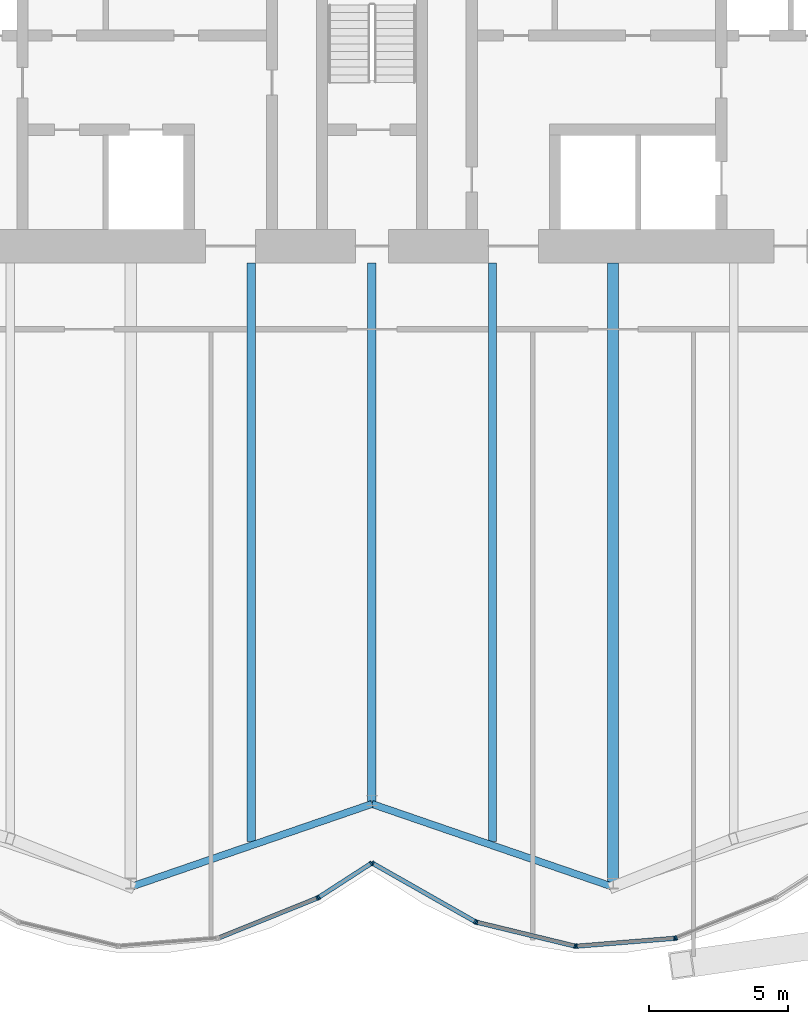
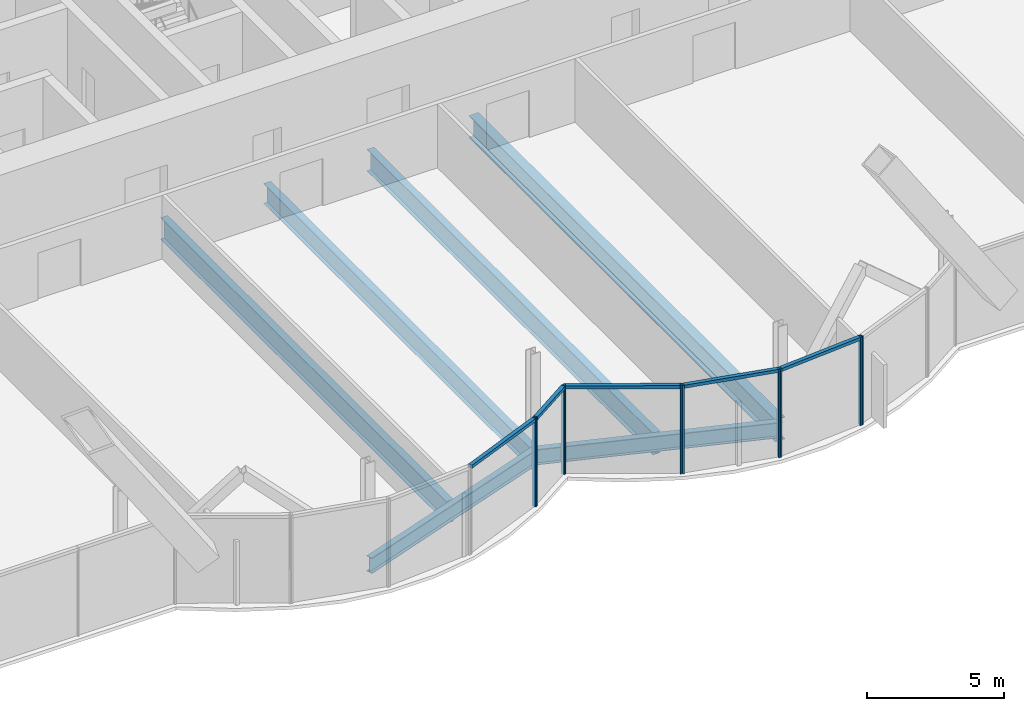
# One storey, part 9 of 24: 15 members, 6 beams, 2 elements without a shape of their own.
"""IFC4 building model written with IfcOpenShell, lengths in metres."""

from ifc_helpers import new_model, si_unit, direction, frame, origin, origin_2d, place, context, subcontext, project, spatial, rectangle, i_section, extrude, material, material_profile, profile_set, type_object, element, aggregate, save


model = new_model("IFC4")

# Units and contexts
model_context = context("Model", 3, precision=1e-05, world=origin(), true_north=direction((0.0, 1.0)))
body_context = subcontext(model_context, "Body", "Model", "MODEL_VIEW")
ifc_project = project(units=[si_unit("LENGTHUNIT", "METRE"), si_unit("AREAUNIT", "SQUARE_METRE"), si_unit("VOLUMEUNIT", "CUBIC_METRE"), si_unit("PLANEANGLEUNIT", "RADIAN"), si_unit("MASSUNIT", "GRAM", prefix="KILO")], contexts=[model_context])

# Site, building, storey
site_placement = place(None, origin())
site = spatial("IfcSite", under=ifc_project, at=site_placement, CompositionType="ELEMENT")
building_placement = place(site_placement, origin())
building = spatial("IfcBuilding", under=site, at=building_placement, Name="Bicima Exchange Tower", CompositionType="ELEMENT")
storey_placement = place(building_placement, frame((0.0, 0.0, 160.89990234375)))
storey = spatial("IfcBuildingStorey", under=building, at=storey_placement, Name="L35", CompositionType="ELEMENT", Elevation=160.89990234375)

# Beams
ifc_material_1 = material(Name="Steel ASTM A992 Gr 50", Category="steel")
ifc_material_profile_1 = material_profile(ifc_material_1, i_section(OverallWidth=0.3046875, OverallDepth=0.904296875, WebThickness=0.01513671875, FlangeThickness=0.02001953125, at=origin_2d()))
ifc_profile_set_1 = profile_set([ifc_material_profile_1], Name="Steel ASTM A992 Gr 50")
beam_type_1 = type_object("IfcBeamType", Name="Floor beam W36x135", PredefinedType="JOIST", material=ifc_profile_set_1)
beam_1_placement = place(storey_placement, frame((0.0, -13.0, -0.60205078125), z_axis=(0.0, -1.0, 0.0), x_axis=(1.0, 0.0, 0.0)))
element("IfcBeam", 1, at=beam_1_placement, inside=storey, type_object=beam_type_1, Name="Floor beam", PredefinedType="JOIST", context=body_context, shape_type="SweptSolid", body=[
    extrude(i_section(OverallWidth=0.3046875, OverallDepth=0.904296875, WebThickness=0.01513671875, FlangeThickness=0.02001953125, at=origin_2d()), origin(), (0.0, 0.0, 1.0), 19.52392578125),
])
ifc_material_profile_2 = material_profile(ifc_material_1, i_section(OverallWidth=0.2998046875, OverallDepth=0.97021484375, WebThickness=0.01611328125, FlangeThickness=0.02099609375, at=origin_2d()))
ifc_profile_set_2 = profile_set([ifc_material_profile_2], Name="Steel ASTM A992 Gr 50")
beam_type_2 = type_object("IfcBeamType", Name="Floor beam W40x149", PredefinedType="JOIST", material=ifc_profile_set_2)
for number, where, z_axis, x_axis, name in (
    (2, (-4.35009765625, -13.0, -0.635009765625), (0.0, -1.0, 0.0), (1.0, 0.0, 0.0), "Floor beam"),
    (3, (4.35009765625, -13.0, -0.635009765625), (0.0, -1.0, 0.0), (1.0, 0.0, 0.0), "Floor beam"),
):
    element("IfcBeam", number, at=place(storey_placement, frame(where, z_axis=z_axis, x_axis=x_axis)), inside=storey, type_object=beam_type_2, Name=name, PredefinedType="JOIST", context=body_context, shape_type="SweptSolid", body=[
        extrude(i_section(OverallWidth=0.2998046875, OverallDepth=0.97021484375, WebThickness=0.01611328125, FlangeThickness=0.02099609375, at=origin_2d()), origin(), (0.0, 0.0, 1.0), 20.8837890625),
    ])
ifc_material_profile_3 = material_profile(ifc_material_1, i_section(OverallWidth=0.4013671875, OverallDepth=0.990478515625, WebThickness=0.0166015625, FlangeThickness=0.031005859375, at=origin_2d()))
ifc_profile_set_3 = profile_set([ifc_material_profile_3], Name="Steel ASTM A992 Gr 50")
beam_type_3 = type_object("IfcBeamType", Name="Floor beam W40x215", PredefinedType="JOIST", material=ifc_profile_set_3)
beam_2_placement = place(storey_placement, frame((8.699951171875, -13.0, -0.645263671875), z_axis=(0.0, -1.0, 0.0), x_axis=(1.0, 0.0, 0.0)))
element("IfcBeam", 4, at=beam_2_placement, inside=storey, type_object=beam_type_3, Name="Floor beam", PredefinedType="JOIST", context=body_context, shape_type="SweptSolid", body=[
    extrude(i_section(OverallWidth=0.4013671875, OverallDepth=0.990478515625, WebThickness=0.0166015625, FlangeThickness=0.031005859375, at=origin_2d()), origin(), (0.0, 0.0, 1.0), 22.37939453125),
])
ifc_material_profile_4 = material_profile(ifc_material_1, i_section(OverallWidth=0.256591796875, OverallDepth=0.693359375, WebThickness=0.014404296875, FlangeThickness=0.023681640625, at=origin_2d()))
ifc_profile_set_4 = profile_set([ifc_material_profile_4], Name="Steel ASTM A992 Gr 50")
beam_type_4 = type_object("IfcBeamType", Name="Front girder W27x114", PredefinedType="BEAM", material=ifc_profile_set_4)
for number, where, z_axis, x_axis, name in (
    (5, (-8.699951171875, -35.51513671875, -0.49658203125), (0.945666456746, 0.325138359143, 0.0), (-0.325138359143, 0.945666456746, 0.0), "Front girder"),
    (6, (0.0, -32.52392578125, -0.49658203125), (0.945666456746, -0.325138359143, 0.0), (0.325138359143, 0.945666456746, 0.0), "Front girder"),
):
    element("IfcBeam", number, at=place(storey_placement, frame(where, z_axis=z_axis, x_axis=x_axis)), inside=storey, type_object=beam_type_4, Name=name, PredefinedType="BEAM", context=body_context, shape_type="SweptSolid", body=[
        extrude(i_section(OverallWidth=0.256591796875, OverallDepth=0.693359375, WebThickness=0.014404296875, FlangeThickness=0.023681640625, at=origin_2d()), origin(), (0.0, 0.0, 1.0), 9.19970703125),
    ])

# Curtain wall, members
ifc_material_2 = material(Name="Anodised bronze aluminium", Category="aluminium")
curtain_wall_type = type_object("IfcCurtainWallType", Name="Front glass wall", PredefinedType="NOTDEFINED", material=ifc_material_2)
curtain_wall_1_placement = place(storey_placement, origin())
curtain_wall_1 = element("IfcCurtainWall", 7, at=curtain_wall_1_placement, inside=storey, type_object=curtain_wall_type, Name="Front glass wall L35 run 6", PredefinedType="NOTDEFINED")
ifc_material_profile_5 = material_profile(ifc_material_2, rectangle(XDim=0.159912109375, YDim=0.06005859375, at=origin_2d()))
ifc_profile_set_5 = profile_set([ifc_material_profile_5], Name="Anodised bronze aluminium")
member_type_1 = type_object("IfcMemberType", Name="Front glass wall mullion 60 x 160", PredefinedType="MULLION", material=ifc_profile_set_5)
member_1_placement = place(storey_placement, frame((-1.97412109375, -35.919677734375, 0.0), z_axis=(0.0, 0.0, 1.0), x_axis=(-0.374705304, 0.92714396679, 0.0)))
member_1 = element("IfcMember", 8, at=member_1_placement, type_object=member_type_1, Name="Front glass wall mullion 2", PredefinedType="MULLION", context=body_context, shape_type="SweptSolid", body=[
    extrude(rectangle(XDim=0.159912109375, YDim=0.06005859375, at=origin_2d()), origin(), (0.0, 0.0, 1.0), 3.9501953125),
])
member_2_placement = place(storey_placement, frame((-1.921142578125, -35.89208984375, 0.0), z_axis=(0.0, 0.0, 1.0), x_axis=(-0.542897457326, 0.839798994301, 0.0)))
member_2 = element("IfcMember", 9, at=member_2_placement, type_object=member_type_1, Name="Front glass wall mullion 1", PredefinedType="MULLION", context=body_context, shape_type="SweptSolid", body=[
    extrude(rectangle(XDim=0.159912109375, YDim=0.06005859375, at=origin_2d()), origin(), (0.0, 0.0, 1.0), 3.9501953125),
])
member_3_placement = place(storey_placement, frame((-0.025146484375, -34.66650390625, 0.0), z_axis=(0.0, 0.0, 1.0), x_axis=(-0.542897457326, 0.839798994301, 0.0)))
member_3 = element("IfcMember", 10, at=member_3_placement, type_object=member_type_1, Name="Front glass wall mullion 2", PredefinedType="MULLION", context=body_context, shape_type="SweptSolid", body=[
    extrude(rectangle(XDim=0.159912109375, YDim=0.06005859375, at=origin_2d()), origin(), (0.0, 0.0, 1.0), 3.9501953125),
])

curtain_wall_2_placement = place(storey_placement, origin())
curtain_wall_2 = element("IfcCurtainWall", 11, at=curtain_wall_2_placement, inside=storey, type_object=curtain_wall_type, Name="Front glass wall L35 run 11", PredefinedType="NOTDEFINED")
member_4_placement = place(storey_placement, frame((0.026123046875, -34.6650390625, 0.0), z_axis=(0.0, 0.0, 1.0), x_axis=(0.494330311331, 0.869274147378, 0.0)))
member_4 = element("IfcMember", 12, at=member_4_placement, type_object=member_type_1, Name="Front glass wall mullion 1", PredefinedType="MULLION", context=body_context, shape_type="SweptSolid", body=[
    extrude(rectangle(XDim=0.159912109375, YDim=0.06005859375, at=origin_2d()), origin(), (0.0, 0.0, 1.0), 3.9501953125),
])
member_5_placement = place(storey_placement, frame((3.7265625, -36.769287109375, 0.0), z_axis=(0.0, 0.0, 1.0), x_axis=(0.494330311331, 0.869274147378, 0.0)))
member_5 = element("IfcMember", 13, at=member_5_placement, type_object=member_type_1, Name="Front glass wall mullion 2", PredefinedType="MULLION", context=body_context, shape_type="SweptSolid", body=[
    extrude(rectangle(XDim=0.159912109375, YDim=0.06005859375, at=origin_2d()), origin(), (0.0, 0.0, 1.0), 3.9501953125),
])
member_6_placement = place(storey_placement, frame((3.781982421875, -36.791259765625, 0.0), z_axis=(0.0, 0.0, 1.0), x_axis=(0.235681529503, 0.971830343553, 0.0)))
member_6 = element("IfcMember", 14, at=member_6_placement, type_object=member_type_1, Name="Front glass wall mullion 1", PredefinedType="MULLION", context=body_context, shape_type="SweptSolid", body=[
    extrude(rectangle(XDim=0.159912109375, YDim=0.06005859375, at=origin_2d()), origin(), (0.0, 0.0, 1.0), 3.9501953125),
])
member_7_placement = place(storey_placement, frame((7.322509765625, -37.64990234375, 0.0), z_axis=(0.0, 0.0, 1.0), x_axis=(0.235681529503, 0.971830343553, 0.0)))
member_7 = element("IfcMember", 15, at=member_7_placement, type_object=member_type_1, Name="Front glass wall mullion 2", PredefinedType="MULLION", context=body_context, shape_type="SweptSolid", body=[
    extrude(rectangle(XDim=0.159912109375, YDim=0.06005859375, at=origin_2d()), origin(), (0.0, 0.0, 1.0), 3.9501953125),
])
member_8_placement = place(storey_placement, frame((7.381591796875, -37.654541015625, 0.0), z_axis=(0.0, 0.0, 1.0), x_axis=(-0.080588612633, 0.99674744821, 0.0)))
member_8 = element("IfcMember", 16, at=member_8_placement, type_object=member_type_1, Name="Front glass wall mullion 1", PredefinedType="MULLION", context=body_context, shape_type="SweptSolid", body=[
    extrude(rectangle(XDim=0.159912109375, YDim=0.06005859375, at=origin_2d()), origin(), (0.0, 0.0, 1.0), 3.9501953125),
])
member_9_placement = place(storey_placement, frame((10.916015625, -37.368896484375, 0.0), z_axis=(0.0, 0.0, 1.0), x_axis=(-0.080588612633, 0.99674744821, 0.0)))
member_9 = element("IfcMember", 17, at=member_9_placement, type_object=member_type_1, Name="Front glass wall mullion 2", PredefinedType="MULLION", context=body_context, shape_type="SweptSolid", body=[
    extrude(rectangle(XDim=0.159912109375, YDim=0.06005859375, at=origin_2d()), origin(), (0.0, 0.0, 1.0), 3.9501953125),
])
member_10_placement = place(storey_placement, frame((10.973876953125, -37.355224609375, 0.0), z_axis=(0.0, 0.0, 1.0), x_axis=(-0.374705304, 0.92714396679, 0.0)))
member_10 = element("IfcMember", 18, at=member_10_placement, type_object=member_type_1, Name="Front glass wall mullion 1", PredefinedType="MULLION", context=body_context, shape_type="SweptSolid", body=[
    extrude(rectangle(XDim=0.159912109375, YDim=0.06005859375, at=origin_2d()), origin(), (0.0, 0.0, 1.0), 3.9501953125),
])

# Member
ifc_material_profile_6 = material_profile(ifc_material_2, rectangle(XDim=0.159912109375, YDim=0.139892578125, at=origin_2d()))
ifc_profile_set_6 = profile_set([ifc_material_profile_6], Name="Anodised bronze aluminium")
member_type_2 = type_object("IfcMemberType", Name="Front glass wall transom 140 x 160", PredefinedType="USERDEFINED", material=ifc_profile_set_6)
member_11_placement = place(storey_placement, frame((-5.498291015625, -37.343994140625, 3.880126953125), z_axis=(0.927140215882, 0.374714584842, 0.0), x_axis=(-0.374714584842, 0.927140215882, 0.0)))
member_11 = element("IfcMember", 19, at=member_11_placement, type_object=member_type_2, Name="Front glass wall transom 1.1", ObjectType="TRANSOM", PredefinedType="USERDEFINED", context=body_context, shape_type="SweptSolid", body=[
    extrude(rectangle(XDim=0.159912109375, YDim=0.139892578125, at=origin_2d()), origin(), (0.0, 0.0, 1.0), 3.77099609375),
])

member_12_placement = place(storey_placement, frame((-1.89599609375, -35.875732421875, 3.880126953125), z_axis=(0.839811483481, 0.542878137536, 0.0), x_axis=(-0.542878137536, 0.839811483481, 0.0)))
member_12 = element("IfcMember", 20, at=member_12_placement, type_object=member_type_2, Name="Front glass wall transom 1.1", ObjectType="TRANSOM", PredefinedType="USERDEFINED", context=body_context, shape_type="SweptSolid", body=[
    extrude(rectangle(XDim=0.159912109375, YDim=0.139892578125, at=origin_2d()), origin(), (0.0, 0.0, 1.0), 2.19775390625),
])

aggregate(curtain_wall_1, [member_1, member_11, member_2, member_3, member_12])

member_13_placement = place(storey_placement, frame((0.05224609375, -34.6796875, 3.880126953125), z_axis=(0.869265121745, -0.494346182466, 0.0), x_axis=(0.494346182466, 0.869265121745, 0.0)))
member_13 = element("IfcMember", 21, at=member_13_placement, type_object=member_type_2, Name="Front glass wall transom 1.1", ObjectType="TRANSOM", PredefinedType="USERDEFINED", context=body_context, shape_type="SweptSolid", body=[
    extrude(rectangle(XDim=0.159912109375, YDim=0.139892578125, at=origin_2d()), origin(), (0.0, 0.0, 1.0), 4.19677734375),
])

member_14_placement = place(storey_placement, frame((3.81103515625, -36.79833984375, 3.880126953125), z_axis=(0.971833557815, -0.235668275132, 0.0), x_axis=(0.235668275132, 0.971833557815, 0.0)))
member_14 = element("IfcMember", 22, at=member_14_placement, type_object=member_type_2, Name="Front glass wall transom 1.1", ObjectType="TRANSOM", PredefinedType="USERDEFINED", context=body_context, shape_type="SweptSolid", body=[
    extrude(rectangle(XDim=0.159912109375, YDim=0.139892578125, at=origin_2d()), origin(), (0.0, 0.0, 1.0), 3.583251953125),
])

member_15_placement = place(storey_placement, frame((7.41162109375, -37.652099609375, 3.880126953125), z_axis=(0.9967456465, 0.080610893699, 0.0), x_axis=(-0.080610893699, 0.9967456465, 0.0)))
member_15 = element("IfcMember", 23, at=member_15_placement, type_object=member_type_2, Name="Front glass wall transom 1.1", ObjectType="TRANSOM", PredefinedType="USERDEFINED", context=body_context, shape_type="SweptSolid", body=[
    extrude(rectangle(XDim=0.159912109375, YDim=0.139892578125, at=origin_2d()), origin(), (0.0, 0.0, 1.0), 3.48583984375),
])

aggregate(curtain_wall_2, [member_4, member_5, member_13, member_6, member_7, member_14, member_8, member_9, member_15, member_10])

save(model, "model.ifc")
